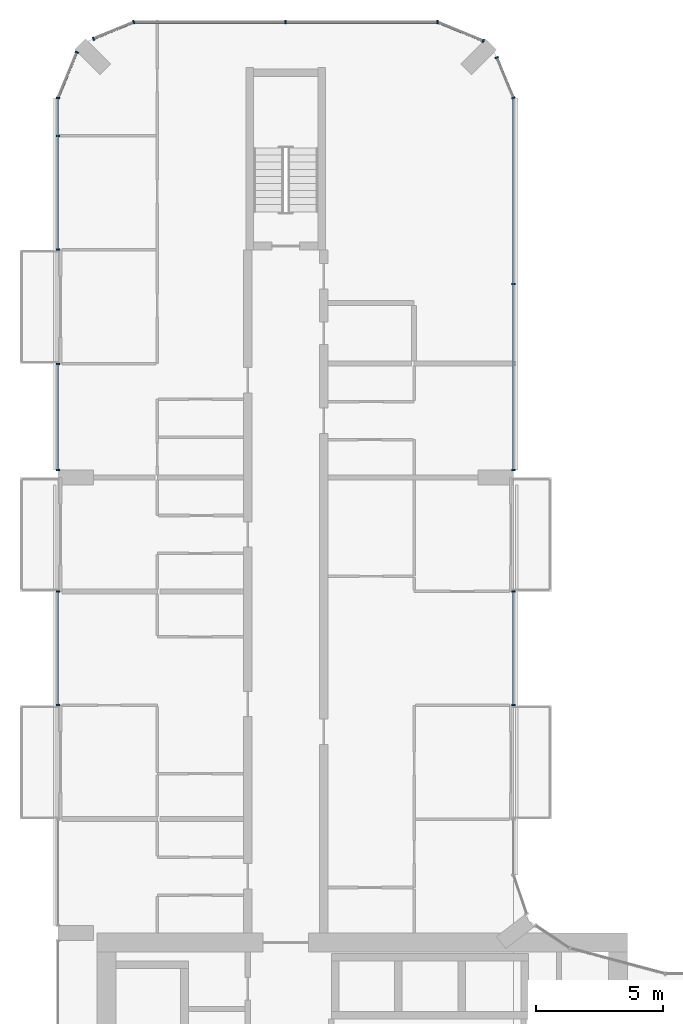
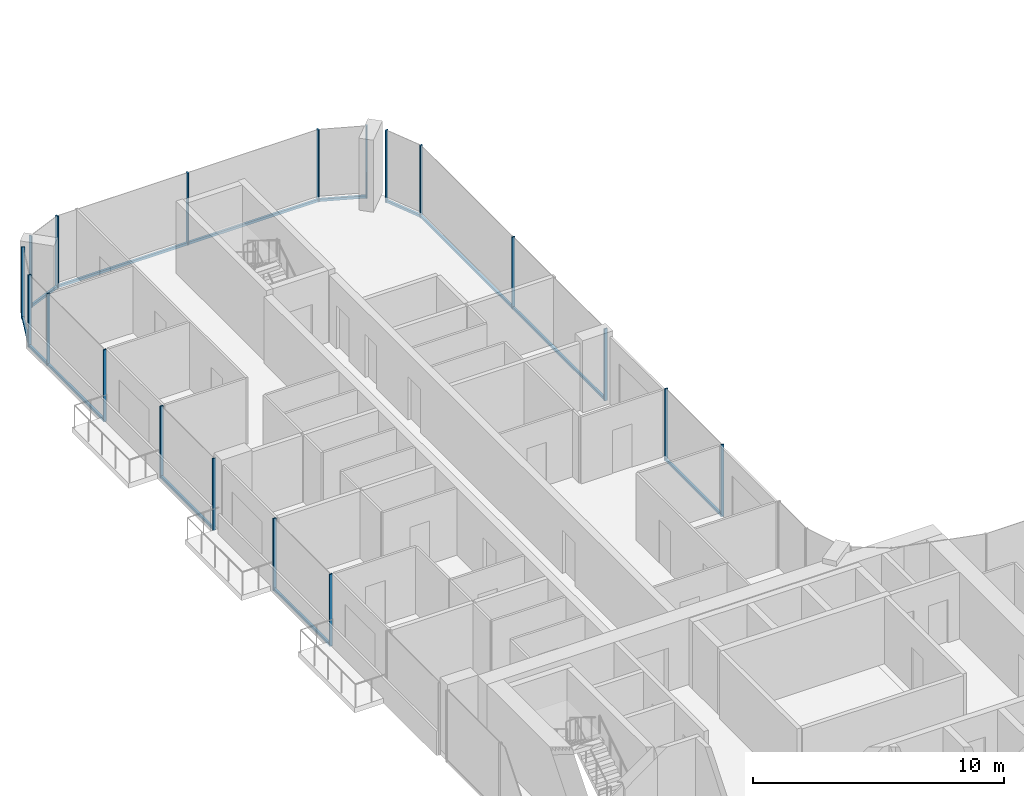
# One storey, part 6 of 23: 29 members, 10 elements without a shape of their own.
"""IFC4 building model written with IfcOpenShell, lengths in metres."""

import ifcopenshell
import ifcopenshell.guid

model = None  # the IFC model being written
_history = None  # IfcOwnerHistory: only IFC2X3 demands one
_inside = {}  # id of a spatial element -> (the spatial element, [elements in it])
_under = {}  # id of a project, library or spatial element -> (it, [spatial elements below it])
_declared = {}  # id of a project -> (the project, [libraries it declares])
_typed = {}  # id of a type object -> (the type object, [elements of that type])
_made_of = {}  # id of a material, layer set ... -> (it, [elements and type objects made of it])


def new_model(schema):
    """Start an empty IFC model of exactly this schema.

    Asked for "IFC4X3", IfcOpenShell would pick the latest addendum, in which some entities
    have other attributes; the version numbers below select the first issue.
    IFC2X3 requires an IfcOwnerHistory on every rooted entity: one is made here for all.
    """
    global model, _history
    if schema == "IFC4X3":
        model = ifcopenshell.file(schema_version=(4, 3, 0, 0))
    else:
        model = ifcopenshell.file(schema=schema)
    _inside.clear()
    _under.clear()
    _declared.clear()
    _typed.clear()
    _made_of.clear()
    _history = None
    if model.schema == "IFC2X3":
        org = make("IfcOrganization", Name="unknown")
        user = make(
            "IfcPersonAndOrganization",
            ThePerson=make("IfcPerson", FamilyName="unknown"),
            TheOrganization=org,
        )
        app = make(
            "IfcApplication",
            ApplicationDeveloper=org,
            Version="unknown",
            ApplicationFullName="unknown",
            ApplicationIdentifier="unknown",
        )
        _history = make(
            "IfcOwnerHistory",
            OwningUser=user,
            OwningApplication=app,
            ChangeAction="ADDED",
            CreationDate=0,
        )
    return model


def make(cls, **values):
    """One entity of the class cls with the attributes given. An attribute that is None is left unset."""
    return model.create_entity(
        cls, **{name: value for name, value in values.items() if value is not None}
    )


def rooted(cls, **values):
    """An entity with a GlobalId (a new one), such as an element, a storey or a relation."""
    return make(cls, GlobalId=ifcopenshell.guid.new(), OwnerHistory=_history, **values)


def si_unit(unit_type, name, prefix=None):
    """IfcSIUnit, for example si_unit("LENGTHUNIT", "METRE", prefix="MILLI")."""
    return make("IfcSIUnit", UnitType=unit_type, Prefix=prefix, Name=name)


def assignment(units):
    """IfcUnitAssignment: the units of a project."""
    return None if units is None else make("IfcUnitAssignment", Units=units)


def point(xyz):
    """IfcCartesianPoint."""
    return None if xyz is None else make("IfcCartesianPoint", Coordinates=xyz)


def direction(xyz):
    """IfcDirection."""
    return None if xyz is None else make("IfcDirection", DirectionRatios=xyz)


def frame(location, z_axis=None, x_axis=None):
    """IfcAxis2Placement3D, a coordinate frame: its origin and axes. An axis left out is left unset."""
    return make(
        "IfcAxis2Placement3D",
        Location=point(location),
        Axis=direction(z_axis),
        RefDirection=direction(x_axis),
    )


def frame_2d(location, x_axis=None):
    """IfcAxis2Placement2D, a coordinate frame in the plane: its origin and x axis."""
    return make(
        "IfcAxis2Placement2D", Location=point(location), RefDirection=direction(x_axis)
    )


def origin():
    """The frame at (0, 0, 0) with its axes left unset."""
    return frame((0.0, 0.0, 0.0))


def origin_2d():
    """The frame at (0, 0) in the plane with its x axis left unset."""
    return frame_2d((0.0, 0.0))


def place(relative_to, where):
    """IfcLocalPlacement: puts the frame where relative to a parent placement (None: the world)."""
    return make(
        "IfcLocalPlacement", PlacementRelTo=relative_to, RelativePlacement=where
    )


def context(
    kind, dimensions, precision=None, world=None, true_north=None, identifier=None
):
    """IfcGeometricRepresentationContext, for example the 3D "Model" context."""
    return make(
        "IfcGeometricRepresentationContext",
        ContextIdentifier=identifier,
        ContextType=kind,
        CoordinateSpaceDimension=dimensions,
        Precision=precision,
        WorldCoordinateSystem=world,
        TrueNorth=true_north,
    )


def subcontext(parent, identifier, kind, view, scale=None):
    """IfcGeometricRepresentationSubContext, for example "Body" below "Model"."""
    return make(
        "IfcGeometricRepresentationSubContext",
        ContextIdentifier=identifier,
        ContextType=kind,
        ParentContext=parent,
        TargetScale=scale,
        TargetView=view,
    )


def project(units=None, contexts=None):
    """IfcProject with its units and contexts."""
    return rooted(
        "IfcProject",
        Name="project",
        RepresentationContexts=contexts,
        UnitsInContext=assignment(units),
    )


def spatial(cls, under=None, at=None, **own):
    """A site, building, storey or space (cls), placed at a placement, below another one or the project."""
    s = rooted(cls, ObjectPlacement=at, **own)
    if under is not None:
        _under.setdefault(under.id(), (under, []))[1].append(s)
    return s


def profile(cls, at=None, kind="AREA", **sizes):
    """A parametric profile (cls). Its sizes go by their IFC names, for example OverallWidth=200.0."""
    return make(cls, ProfileType=kind, Position=at, **sizes)


def rectangle(**sizes):
    """IfcRectangleProfileDef."""
    return profile("IfcRectangleProfileDef", **sizes)


def extrude(swept, where, along, depth):
    """IfcExtrudedAreaSolid: the profile swept, set in the frame where, extruded along a direction by depth."""
    return make(
        "IfcExtrudedAreaSolid",
        SweptArea=swept,
        Position=where,
        ExtrudedDirection=direction(along),
        Depth=depth,
    )


def shape(context_of_items, identifier, shape_type, items):
    """IfcShapeRepresentation: the items that make up one representation, for example the "Body"."""
    return make(
        "IfcShapeRepresentation",
        ContextOfItems=context_of_items,
        RepresentationIdentifier=identifier,
        RepresentationType=shape_type,
        Items=items,
    )


def material(Name=None, Category=None):
    """IfcMaterial."""
    return make("IfcMaterial", Name=Name, Category=Category)


def layer(
    of_material, thickness, ventilated=None, Name=None, Category=None, Priority=None
):
    """IfcMaterialLayer: one layer of a wall or slab, of a material (None: an air gap)."""
    return make(
        "IfcMaterialLayer",
        Material=of_material,
        LayerThickness=thickness,
        IsVentilated=ventilated,
        Name=Name,
        Category=Category,
        Priority=Priority,
    )


def layer_set(layers, Name=None):
    """IfcMaterialLayerSet."""
    return make("IfcMaterialLayerSet", MaterialLayers=layers, LayerSetName=Name)


def material_profile(
    of_material, cross_section, Name=None, Category=None, Priority=None
):
    """IfcMaterialProfile: a cross section and its material."""
    return make(
        "IfcMaterialProfile",
        Name=Name,
        Material=of_material,
        Profile=cross_section,
        Priority=Priority,
        Category=Category,
    )


def profile_set(profiles, Name=None, composite=None):
    """IfcMaterialProfileSet."""
    return make(
        "IfcMaterialProfileSet",
        Name=Name,
        MaterialProfiles=profiles,
        CompositeProfile=composite,
    )


def made_of(thing, what):
    """Note that an element or type object is made of a material, layer set ...; save() writes the relation."""
    if what is not None:
        _made_of.setdefault(what.id(), (what, []))[1].append(thing)
    return thing


def type_object(cls, material=None, **own):
    """A type object (cls), such as IfcWallType, which elements share."""
    return made_of(rooted(cls, **own), material)


def element(
    cls,
    number,
    at=None,
    inside=None,
    cuts=None,
    type_object=None,
    material=None,
    context=None,
    identifier="Body",
    shape_type=None,
    held_by="IfcProductDefinitionShape",
    body=None,
    shapes=None,
    **own,
):
    """One element of the class cls, such as IfcWall. Its Tag is "e" and its number.

    at: its placement. inside: the storey or other place that contains it. cuts: it is an
    opening in that element (IfcRelVoidsElement). A single representation is given by context,
    identifier, shape_type and body (its items); several are given by shapes. held_by: the class
    of the entity that holds the representations. save() writes the other relations.
    """
    e = rooted(cls, Tag="e%d" % number, ObjectPlacement=at, **own)
    if body is not None:
        shapes = [shape(context, identifier, shape_type, body)]
    if shapes is not None:
        e.Representation = make(held_by, Representations=shapes)
    if inside is not None:
        _inside.setdefault(inside.id(), (inside, []))[1].append(e)
    if cuts is not None:
        rooted(
            "IfcRelVoidsElement", RelatingBuildingElement=cuts, RelatedOpeningElement=e
        )
    if type_object is not None:
        _typed.setdefault(type_object.id(), (type_object, []))[1].append(e)
    return made_of(e, material)


def aggregate(whole, parts):
    """IfcRelAggregates: a whole, such as a stair, and the parts it consists of."""
    return rooted("IfcRelAggregates", RelatingObject=whole, RelatedObjects=parts)


def save(model, path):
    """Write the relations noted so far, then the file.

    IfcRelAggregates (storeys below a building ...), IfcRelContainedInSpatialStructure (elements
    in a storey), IfcRelDefinesByType, IfcRelAssociatesMaterial and IfcRelDeclares: one each for
    every whole, place, type object, material and project.
    """
    for whole, parts in _under.values():
        aggregate(whole, parts)
    for where, things in _inside.values():
        rooted(
            "IfcRelContainedInSpatialStructure",
            RelatedElements=things,
            RelatingStructure=where,
        )
    for kind, things in _typed.values():
        rooted("IfcRelDefinesByType", RelatedObjects=things, RelatingType=kind)
    for what, things in _made_of.values():
        rooted("IfcRelAssociatesMaterial", RelatedObjects=things, RelatingMaterial=what)
    for by, libraries in _declared.values():
        rooted("IfcRelDeclares", RelatingContext=by, RelatedDefinitions=libraries)
    model.write(path)


model = new_model("IFC4")

# Units and contexts
model_context = context("Model", 3, precision=1e-05, world=origin(), true_north=direction((0.0, 1.0)))
body_context = subcontext(model_context, "Body", "Model", "MODEL_VIEW")
ifc_project = project(units=[si_unit("LENGTHUNIT", "METRE"), si_unit("AREAUNIT", "SQUARE_METRE"), si_unit("VOLUMEUNIT", "CUBIC_METRE"), si_unit("PLANEANGLEUNIT", "RADIAN"), si_unit("MASSUNIT", "GRAM", prefix="KILO")], contexts=[model_context])

# Site, building, storey
site_placement = place(None, origin())
site = spatial("IfcSite", under=ifc_project, at=site_placement, CompositionType="ELEMENT")
building_placement = place(site_placement, origin())
building = spatial("IfcBuilding", under=site, at=building_placement, Name="Plateau Cross Towers", CompositionType="ELEMENT")
storey_placement = place(building_placement, frame((0.0, 0.0, 40.800048828125)))
storey = spatial("IfcBuildingStorey", under=building, at=storey_placement, Name="L09", CompositionType="ELEMENT", Elevation=40.800048828125)

# Curtain wall, members
ifc_material_1 = material(Name="Dark low-iron glass", Category="glass")
ifc_layer = layer(ifc_material_1, 0.239990234375)
ifc_layer_set = layer_set([ifc_layer], Name="Dark low-iron glass")
curtain_wall_type = type_object("IfcCurtainWallType", Name="Curtain wall flush unitised CW-B", PredefinedType="NOTDEFINED", material=ifc_layer_set)
curtain_wall_1_placement = place(storey_placement, origin())
curtain_wall_1 = element("IfcCurtainWall", 1, at=curtain_wall_1_placement, inside=storey, type_object=curtain_wall_type, Name="ENV/A/L09/A180_270", PredefinedType="NOTDEFINED")
ifc_material_2 = material(Name="Black anodised aluminium", Category="aluminium")
ifc_material_profile_1 = material_profile(ifc_material_2, rectangle(XDim=0.06005859375, YDim=0.139892578125, at=origin_2d()), Name="MULLION 60x140")
ifc_profile_set_1 = profile_set([ifc_material_profile_1], Name="Black anodised aluminium")
member_type_1 = type_object("IfcMemberType", Name="Mullion 60x140 flush unitised", PredefinedType="MULLION", material=ifc_profile_set_1)
member_1_placement = place(storey_placement, frame((18.0, 27.010009765625, -0.25), z_axis=(0.0, 0.0, 1.0), x_axis=(0.0, 1.0, 0.0)))
member_1 = element("IfcMember", 2, at=member_1_placement, type_object=member_type_1, Name="CW-B mullion 1", PredefinedType="MULLION", context=body_context, shape_type="SweptSolid", body=[
    extrude(rectangle(XDim=0.06005859375, YDim=0.139892578125, at=origin_2d()), origin(), (0.0, 0.0, 1.0), 3.5),
])
member_2_placement = place(storey_placement, frame((18.0, 31.489990234375, -0.25), z_axis=(0.0, 0.0, 1.0), x_axis=(0.0, 1.0, 0.0)))
member_2 = element("IfcMember", 3, at=member_2_placement, type_object=member_type_1, Name="CW-B mullion 2", PredefinedType="MULLION", context=body_context, shape_type="SweptSolid", body=[
    extrude(rectangle(XDim=0.06005859375, YDim=0.139892578125, at=origin_2d()), origin(), (0.0, 0.0, 1.0), 3.5),
])

curtain_wall_2_placement = place(storey_placement, origin())
curtain_wall_2 = element("IfcCurtainWall", 4, at=curtain_wall_2_placement, inside=storey, type_object=curtain_wall_type, Name="ENV/A/L09/A180_363", PredefinedType="NOTDEFINED")
member_3_placement = place(storey_placement, frame((18.0, 36.300048828125, -0.25), z_axis=(0.0, 0.0, 1.0), x_axis=(0.0, 1.0, 0.0)))
member_3 = element("IfcMember", 5, at=member_3_placement, type_object=member_type_1, Name="CW-B mullion 1", PredefinedType="MULLION", context=body_context, shape_type="SweptSolid", body=[
    extrude(rectangle(XDim=0.06005859375, YDim=0.139892578125, at=origin_2d()), origin(), (0.0, 0.0, 1.0), 3.5),
])
member_4_placement = place(storey_placement, frame((18.0, 43.64990234375, -0.25), z_axis=(0.0, 0.0, 1.0), x_axis=(0.0, 1.0, 0.0)))
member_4 = element("IfcMember", 6, at=member_4_placement, type_object=member_type_1, Name="CW-B mullion 2", PredefinedType="MULLION", context=body_context, shape_type="SweptSolid", body=[
    extrude(rectangle(XDim=0.06005859375, YDim=0.139892578125, at=origin_2d()), origin(), (0.0, 0.0, 1.0), 3.5),
])

curtain_wall_3_placement = place(storey_placement, origin())
curtain_wall_3 = element("IfcCurtainWall", 7, at=curtain_wall_3_placement, inside=storey, type_object=curtain_wall_type, Name="ENV/A/L09/A180_510", PredefinedType="NOTDEFINED")
member_5_placement = place(storey_placement, frame((18.0, 51.0, -0.25), z_axis=(0.0, 0.0, 1.0), x_axis=(-0.382683612978, 0.923879457699, 0.0)))
member_5 = element("IfcMember", 8, at=member_5_placement, type_object=member_type_1, Name="CW-B mullion 1", PredefinedType="MULLION", context=body_context, shape_type="SweptSolid", body=[
    extrude(rectangle(XDim=0.06005859375, YDim=0.139892578125, at=origin_2d()), origin(), (0.0, 0.0, 1.0), 3.5),
])
member_6_placement = place(storey_placement, frame((17.338623046875, 52.5966796875, -0.25), z_axis=(0.0, 0.0, 1.0), x_axis=(-0.382683612978, 0.923879457699, 0.0)))
member_6 = element("IfcMember", 9, at=member_6_placement, type_object=member_type_1, Name="CW-B mullion 2", PredefinedType="MULLION", context=body_context, shape_type="SweptSolid", body=[
    extrude(rectangle(XDim=0.06005859375, YDim=0.139892578125, at=origin_2d()), origin(), (0.0, 0.0, 1.0), 3.5),
])

# Curtain wall, member
curtain_wall_4_placement = place(storey_placement, origin())
curtain_wall_4 = element("IfcCurtainWall", 10, at=curtain_wall_4_placement, inside=storey, type_object=curtain_wall_type, Name="ENV/A/L09/A168_533", PredefinedType="NOTDEFINED")
member_7_placement = place(storey_placement, frame((16.805908203125, 53.251953125, -0.25), z_axis=(0.0, 0.0, 1.0), x_axis=(-0.923879457699, 0.382683612978, 0.0)))
member_7 = element("IfcMember", 11, at=member_7_placement, type_object=member_type_1, Name="CW-B mullion 1", PredefinedType="MULLION", context=body_context, shape_type="SweptSolid", body=[
    extrude(rectangle(XDim=0.06005859375, YDim=0.139892578125, at=origin_2d()), origin(), (0.0, 0.0, 1.0), 3.5),
])

# Curtain wall, members
curtain_wall_5_placement = place(storey_placement, origin())
curtain_wall_5 = element("IfcCurtainWall", 12, at=curtain_wall_5_placement, inside=storey, type_object=curtain_wall_type, Name="ENV/A/L09/A150_540", PredefinedType="NOTDEFINED")
member_8_placement = place(storey_placement, frame((15.0, 54.0, -0.25), z_axis=(0.0, 0.0, 1.0), x_axis=(-1.0, 0.0, 0.0)))
member_8 = element("IfcMember", 13, at=member_8_placement, type_object=member_type_1, Name="CW-B mullion 1", PredefinedType="MULLION", context=body_context, shape_type="SweptSolid", body=[
    extrude(rectangle(XDim=0.06005859375, YDim=0.139892578125, at=origin_2d()), origin(), (0.0, 0.0, 1.0), 3.5),
])
member_9_placement = place(storey_placement, frame((9.0, 54.0, -0.25), z_axis=(0.0, 0.0, 1.0), x_axis=(-1.0, 0.0, 0.0)))
member_9 = element("IfcMember", 14, at=member_9_placement, type_object=member_type_1, Name="CW-B mullion 2", PredefinedType="MULLION", context=body_context, shape_type="SweptSolid", body=[
    extrude(rectangle(XDim=0.06005859375, YDim=0.139892578125, at=origin_2d()), origin(), (0.0, 0.0, 1.0), 3.5),
])

curtain_wall_6_placement = place(storey_placement, origin())
curtain_wall_6 = element("IfcCurtainWall", 15, at=curtain_wall_6_placement, inside=storey, type_object=curtain_wall_type, Name="ENV/A/L09/A30_540", PredefinedType="NOTDEFINED")
member_10_placement = place(storey_placement, frame((3.0, 54.0, -0.25), z_axis=(0.0, 0.0, 1.0), x_axis=(-0.923879457699, -0.382683612978, 0.0)))
member_10 = element("IfcMember", 16, at=member_10_placement, type_object=member_type_1, Name="CW-B mullion 1", PredefinedType="MULLION", context=body_context, shape_type="SweptSolid", body=[
    extrude(rectangle(XDim=0.06005859375, YDim=0.139892578125, at=origin_2d()), origin(), (0.0, 0.0, 1.0), 3.5),
])
member_11_placement = place(storey_placement, frame((1.4033203125, 53.338623046875, -0.25), z_axis=(0.0, 0.0, 1.0), x_axis=(-0.923879457699, -0.382683612978, 0.0)))
member_11 = element("IfcMember", 17, at=member_11_placement, type_object=member_type_1, Name="CW-B mullion 2", PredefinedType="MULLION", context=body_context, shape_type="SweptSolid", body=[
    extrude(rectangle(XDim=0.06005859375, YDim=0.139892578125, at=origin_2d()), origin(), (0.0, 0.0, 1.0), 3.5),
])

# Curtain wall, member
curtain_wall_7_placement = place(storey_placement, origin())
curtain_wall_7 = element("IfcCurtainWall", 18, at=curtain_wall_7_placement, inside=storey, type_object=curtain_wall_type, Name="ENV/A/L09/A7_528", PredefinedType="NOTDEFINED")
member_12_placement = place(storey_placement, frame((0.748046875, 52.805908203125, -0.25), z_axis=(0.0, 0.0, 1.0), x_axis=(-0.382683612978, -0.923879457699, 0.0)))
member_12 = element("IfcMember", 19, at=member_12_placement, type_object=member_type_1, Name="CW-B mullion 1", PredefinedType="MULLION", context=body_context, shape_type="SweptSolid", body=[
    extrude(rectangle(XDim=0.06005859375, YDim=0.139892578125, at=origin_2d()), origin(), (0.0, 0.0, 1.0), 3.5),
])

# Curtain wall, members
curtain_wall_8_placement = place(storey_placement, origin())
curtain_wall_8 = element("IfcCurtainWall", 20, at=curtain_wall_8_placement, inside=storey, type_object=curtain_wall_type, Name="ENV/A/L09/A0_510", PredefinedType="NOTDEFINED")
member_13_placement = place(storey_placement, frame((0.0, 51.0, -0.25), z_axis=(0.0, 0.0, 1.0), x_axis=(0.0, -1.0, 0.0)))
member_13 = element("IfcMember", 21, at=member_13_placement, type_object=member_type_1, Name="CW-B mullion 1", PredefinedType="MULLION", context=body_context, shape_type="SweptSolid", body=[
    extrude(rectangle(XDim=0.06005859375, YDim=0.139892578125, at=origin_2d()), origin(), (0.0, 0.0, 1.0), 3.5),
])
member_14_placement = place(storey_placement, frame((0.0, 49.5, -0.25), z_axis=(0.0, 0.0, 1.0), x_axis=(0.0, -1.0, 0.0)))
member_14 = element("IfcMember", 22, at=member_14_placement, type_object=member_type_1, Name="CW-B mullion 2", PredefinedType="MULLION", context=body_context, shape_type="SweptSolid", body=[
    extrude(rectangle(XDim=0.06005859375, YDim=0.139892578125, at=origin_2d()), origin(), (0.0, 0.0, 1.0), 3.5),
])
member_15_placement = place(storey_placement, frame((0.0, 45.010009765625, -0.25), z_axis=(0.0, 0.0, 1.0), x_axis=(0.0, -1.0, 0.0)))
member_15 = element("IfcMember", 23, at=member_15_placement, type_object=member_type_1, Name="CW-B mullion 3", PredefinedType="MULLION", context=body_context, shape_type="SweptSolid", body=[
    extrude(rectangle(XDim=0.06005859375, YDim=0.139892578125, at=origin_2d()), origin(), (0.0, 0.0, 1.0), 3.5),
])

curtain_wall_9_placement = place(storey_placement, origin())
curtain_wall_9 = element("IfcCurtainWall", 24, at=curtain_wall_9_placement, inside=storey, type_object=curtain_wall_type, Name="ENV/A/L09/A0_405", PredefinedType="NOTDEFINED")
member_16_placement = place(storey_placement, frame((0.0, 40.489990234375, -0.25), z_axis=(0.0, 0.0, 1.0), x_axis=(0.0, -1.0, 0.0)))
member_16 = element("IfcMember", 25, at=member_16_placement, type_object=member_type_1, Name="CW-B mullion 1", PredefinedType="MULLION", context=body_context, shape_type="SweptSolid", body=[
    extrude(rectangle(XDim=0.06005859375, YDim=0.139892578125, at=origin_2d()), origin(), (0.0, 0.0, 1.0), 3.5),
])
member_17_placement = place(storey_placement, frame((0.0, 36.300048828125, -0.25), z_axis=(0.0, 0.0, 1.0), x_axis=(0.0, -1.0, 0.0)))
member_17 = element("IfcMember", 26, at=member_17_placement, type_object=member_type_1, Name="CW-B mullion 2", PredefinedType="MULLION", context=body_context, shape_type="SweptSolid", body=[
    extrude(rectangle(XDim=0.06005859375, YDim=0.139892578125, at=origin_2d()), origin(), (0.0, 0.0, 1.0), 3.5),
])

curtain_wall_10_placement = place(storey_placement, origin())
curtain_wall_10 = element("IfcCurtainWall", 27, at=curtain_wall_10_placement, inside=storey, type_object=curtain_wall_type, Name="ENV/A/L09/A0_315", PredefinedType="NOTDEFINED")
member_18_placement = place(storey_placement, frame((0.0, 31.489990234375, -0.25), z_axis=(0.0, 0.0, 1.0), x_axis=(0.0, -1.0, 0.0)))
member_18 = element("IfcMember", 28, at=member_18_placement, type_object=member_type_1, Name="CW-B mullion 1", PredefinedType="MULLION", context=body_context, shape_type="SweptSolid", body=[
    extrude(rectangle(XDim=0.06005859375, YDim=0.139892578125, at=origin_2d()), origin(), (0.0, 0.0, 1.0), 3.5),
])
member_19_placement = place(storey_placement, frame((0.0, 27.010009765625, -0.25), z_axis=(0.0, 0.0, 1.0), x_axis=(0.0, -1.0, 0.0)))
member_19 = element("IfcMember", 29, at=member_19_placement, type_object=member_type_1, Name="CW-B mullion 2", PredefinedType="MULLION", context=body_context, shape_type="SweptSolid", body=[
    extrude(rectangle(XDim=0.06005859375, YDim=0.139892578125, at=origin_2d()), origin(), (0.0, 0.0, 1.0), 3.5),
])

# Member
ifc_material_profile_2 = material_profile(ifc_material_2, rectangle(XDim=0.10009765625, YDim=0.1201171875, at=origin_2d()), Name="TRANSOM 100x120")
ifc_profile_set_2 = profile_set([ifc_material_profile_2], Name="Black anodised aluminium")
member_type_2 = type_object("IfcMemberType", Name="Transom 100x120 flush unitised", PredefinedType="USERDEFINED", material=ifc_profile_set_2)
member_20_placement = place(storey_placement, frame((18.0, 27.010009765625, -0.18994140625), z_axis=(0.0, 1.0, 0.0), x_axis=(-1.0, 0.0, 0.0)))
member_20 = element("IfcMember", 30, at=member_20_placement, type_object=member_type_2, Name="CW-B transom", ObjectType="TRANSOM", PredefinedType="USERDEFINED", context=body_context, shape_type="SweptSolid", body=[
    extrude(rectangle(XDim=0.10009765625, YDim=0.1201171875, at=origin_2d()), origin(), (0.0, 0.0, 1.0), 4.47998046875),
])

aggregate(curtain_wall_1, [member_1, member_2, member_20])

member_21_placement = place(storey_placement, frame((18.0, 36.300048828125, -0.18994140625), z_axis=(0.0, 1.0, 0.0), x_axis=(-1.0, 0.0, 0.0)))
member_21 = element("IfcMember", 31, at=member_21_placement, type_object=member_type_2, Name="CW-B transom", ObjectType="TRANSOM", PredefinedType="USERDEFINED", context=body_context, shape_type="SweptSolid", body=[
    extrude(rectangle(XDim=0.10009765625, YDim=0.1201171875, at=origin_2d()), origin(), (0.0, 0.0, 1.0), 14.699951171875),
])

aggregate(curtain_wall_2, [member_3, member_4, member_21])

member_22_placement = place(storey_placement, frame((18.0, 51.0, -0.18994140625), z_axis=(-0.382688653628, 0.923877369776, 0.0), x_axis=(-0.923877369776, -0.382688653628, 0.0)))
member_22 = element("IfcMember", 32, at=member_22_placement, type_object=member_type_2, Name="CW-B transom", ObjectType="TRANSOM", PredefinedType="USERDEFINED", context=body_context, shape_type="SweptSolid", body=[
    extrude(rectangle(XDim=0.10009765625, YDim=0.1201171875, at=origin_2d()), origin(), (0.0, 0.0, 1.0), 1.728271484375),
])

aggregate(curtain_wall_3, [member_5, member_6, member_22])

member_23_placement = place(storey_placement, frame((16.805908203125, 53.251953125, -0.18994140625), z_axis=(-0.92387678234, 0.382690071798, 0.0), x_axis=(-0.382690071798, -0.92387678234, 0.0)))
member_23 = element("IfcMember", 33, at=member_23_placement, type_object=member_type_2, Name="CW-B transom", ObjectType="TRANSOM", PredefinedType="USERDEFINED", context=body_context, shape_type="SweptSolid", body=[
    extrude(rectangle(XDim=0.10009765625, YDim=0.1201171875, at=origin_2d()), origin(), (0.0, 0.0, 1.0), 1.95458984375),
])

aggregate(curtain_wall_4, [member_7, member_23])

member_24_placement = place(storey_placement, frame((15.0, 54.0, -0.18994140625), z_axis=(-1.0, 0.0, 0.0), x_axis=(0.0, -1.0, 0.0)))
member_24 = element("IfcMember", 34, at=member_24_placement, type_object=member_type_2, Name="CW-B transom", ObjectType="TRANSOM", PredefinedType="USERDEFINED", context=body_context, shape_type="SweptSolid", body=[
    extrude(rectangle(XDim=0.10009765625, YDim=0.1201171875, at=origin_2d()), origin(), (0.0, 0.0, 1.0), 12.0),
])

aggregate(curtain_wall_5, [member_8, member_9, member_24])

member_25_placement = place(storey_placement, frame((3.0, 54.0, -0.18994140625), z_axis=(-0.923877369776, -0.382688653628, 0.0), x_axis=(0.382688653628, -0.923877369776, 0.0)))
member_25 = element("IfcMember", 35, at=member_25_placement, type_object=member_type_2, Name="CW-B transom", ObjectType="TRANSOM", PredefinedType="USERDEFINED", context=body_context, shape_type="SweptSolid", body=[
    extrude(rectangle(XDim=0.10009765625, YDim=0.1201171875, at=origin_2d()), origin(), (0.0, 0.0, 1.0), 1.728271484375),
])

aggregate(curtain_wall_6, [member_10, member_11, member_25])

member_26_placement = place(storey_placement, frame((0.748046875, 52.805908203125, -0.18994140625), z_axis=(-0.382690071798, -0.92387678234, 0.0), x_axis=(0.92387678234, -0.382690071798, 0.0)))
member_26 = element("IfcMember", 36, at=member_26_placement, type_object=member_type_2, Name="CW-B transom", ObjectType="TRANSOM", PredefinedType="USERDEFINED", context=body_context, shape_type="SweptSolid", body=[
    extrude(rectangle(XDim=0.10009765625, YDim=0.1201171875, at=origin_2d()), origin(), (0.0, 0.0, 1.0), 1.95458984375),
])

aggregate(curtain_wall_7, [member_12, member_26])

member_27_placement = place(storey_placement, frame((0.0, 51.0, -0.18994140625), z_axis=(0.0, -1.0, 0.0), x_axis=(1.0, 0.0, 0.0)))
member_27 = element("IfcMember", 37, at=member_27_placement, type_object=member_type_2, Name="CW-B transom", ObjectType="TRANSOM", PredefinedType="USERDEFINED", context=body_context, shape_type="SweptSolid", body=[
    extrude(rectangle(XDim=0.10009765625, YDim=0.1201171875, at=origin_2d()), origin(), (0.0, 0.0, 1.0), 5.989990234375),
])

aggregate(curtain_wall_8, [member_13, member_14, member_15, member_27])

member_28_placement = place(storey_placement, frame((0.0, 40.489990234375, -0.18994140625), z_axis=(0.0, -1.0, 0.0), x_axis=(1.0, 0.0, 0.0)))
member_28 = element("IfcMember", 38, at=member_28_placement, type_object=member_type_2, Name="CW-B transom", ObjectType="TRANSOM", PredefinedType="USERDEFINED", context=body_context, shape_type="SweptSolid", body=[
    extrude(rectangle(XDim=0.10009765625, YDim=0.1201171875, at=origin_2d()), origin(), (0.0, 0.0, 1.0), 4.18994140625),
])

aggregate(curtain_wall_9, [member_16, member_17, member_28])

member_29_placement = place(storey_placement, frame((0.0, 31.489990234375, -0.18994140625), z_axis=(0.0, -1.0, 0.0), x_axis=(1.0, 0.0, 0.0)))
member_29 = element("IfcMember", 39, at=member_29_placement, type_object=member_type_2, Name="CW-B transom", ObjectType="TRANSOM", PredefinedType="USERDEFINED", context=body_context, shape_type="SweptSolid", body=[
    extrude(rectangle(XDim=0.10009765625, YDim=0.1201171875, at=origin_2d()), origin(), (0.0, 0.0, 1.0), 4.47998046875),
])

aggregate(curtain_wall_10, [member_18, member_19, member_29])

save(model, "model.ifc")
